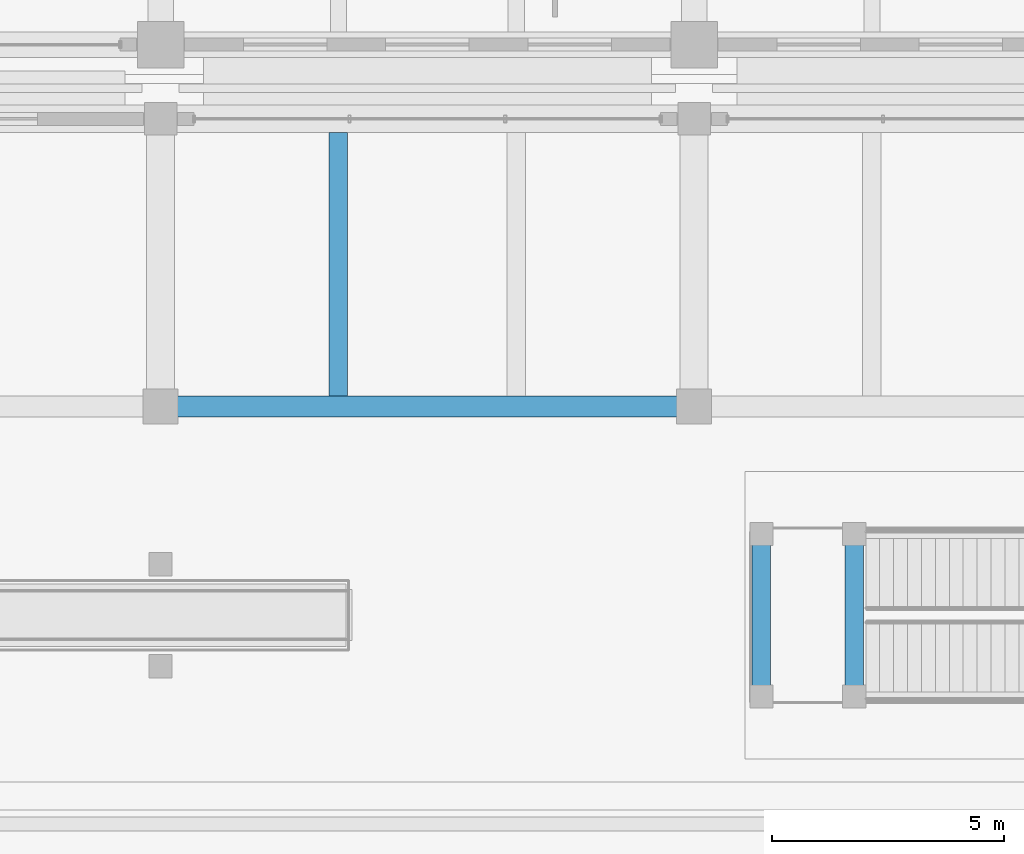
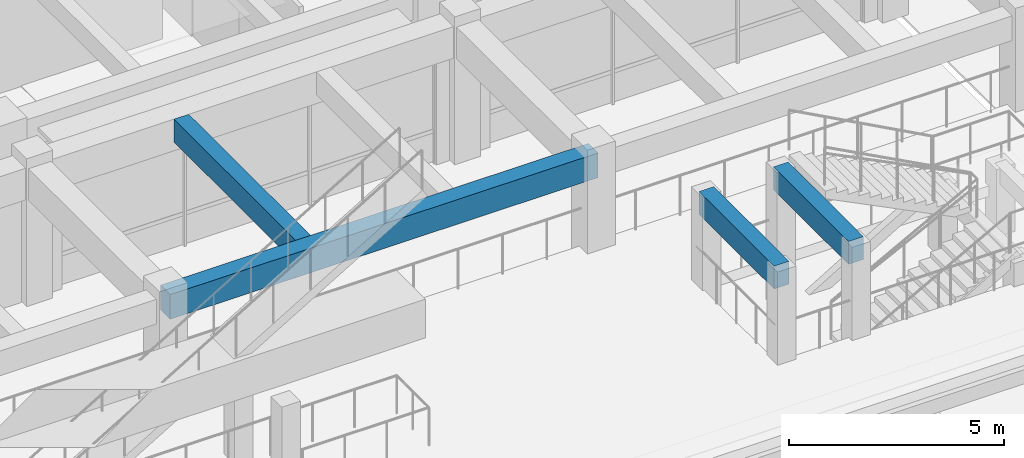
# One storey, part 30 of 109: 4 beams.
"""IFC4 building model written with IfcOpenShell, lengths in metres."""

import ifcopenshell
import ifcopenshell.guid

model = None  # the IFC model being written
_history = None  # IfcOwnerHistory: only IFC2X3 demands one
_inside = {}  # id of a spatial element -> (the spatial element, [elements in it])
_under = {}  # id of a project, library or spatial element -> (it, [spatial elements below it])
_declared = {}  # id of a project -> (the project, [libraries it declares])
_typed = {}  # id of a type object -> (the type object, [elements of that type])
_made_of = {}  # id of a material, layer set ... -> (it, [elements and type objects made of it])


def new_model(schema):
    """Start an empty IFC model of exactly this schema.

    Asked for "IFC4X3", IfcOpenShell would pick the latest addendum, in which some entities
    have other attributes; the version numbers below select the first issue.
    IFC2X3 requires an IfcOwnerHistory on every rooted entity: one is made here for all.
    """
    global model, _history
    if schema == "IFC4X3":
        model = ifcopenshell.file(schema_version=(4, 3, 0, 0))
    else:
        model = ifcopenshell.file(schema=schema)
    _inside.clear()
    _under.clear()
    _declared.clear()
    _typed.clear()
    _made_of.clear()
    _history = None
    if model.schema == "IFC2X3":
        org = make("IfcOrganization", Name="unknown")
        user = make(
            "IfcPersonAndOrganization",
            ThePerson=make("IfcPerson", FamilyName="unknown"),
            TheOrganization=org,
        )
        app = make(
            "IfcApplication",
            ApplicationDeveloper=org,
            Version="unknown",
            ApplicationFullName="unknown",
            ApplicationIdentifier="unknown",
        )
        _history = make(
            "IfcOwnerHistory",
            OwningUser=user,
            OwningApplication=app,
            ChangeAction="ADDED",
            CreationDate=0,
        )
    return model


def make(cls, **values):
    """One entity of the class cls with the attributes given. An attribute that is None is left unset."""
    return model.create_entity(
        cls, **{name: value for name, value in values.items() if value is not None}
    )


def rooted(cls, **values):
    """An entity with a GlobalId (a new one), such as an element, a storey or a relation."""
    return make(cls, GlobalId=ifcopenshell.guid.new(), OwnerHistory=_history, **values)


def si_unit(unit_type, name, prefix=None):
    """IfcSIUnit, for example si_unit("LENGTHUNIT", "METRE", prefix="MILLI")."""
    return make("IfcSIUnit", UnitType=unit_type, Prefix=prefix, Name=name)


def assignment(units):
    """IfcUnitAssignment: the units of a project."""
    return None if units is None else make("IfcUnitAssignment", Units=units)


def point(xyz):
    """IfcCartesianPoint."""
    return None if xyz is None else make("IfcCartesianPoint", Coordinates=xyz)


def direction(xyz):
    """IfcDirection."""
    return None if xyz is None else make("IfcDirection", DirectionRatios=xyz)


def frame(location, z_axis=None, x_axis=None):
    """IfcAxis2Placement3D, a coordinate frame: its origin and axes. An axis left out is left unset."""
    return make(
        "IfcAxis2Placement3D",
        Location=point(location),
        Axis=direction(z_axis),
        RefDirection=direction(x_axis),
    )


def frame_2d(location, x_axis=None):
    """IfcAxis2Placement2D, a coordinate frame in the plane: its origin and x axis."""
    return make(
        "IfcAxis2Placement2D", Location=point(location), RefDirection=direction(x_axis)
    )


def origin():
    """The frame at (0, 0, 0) with its axes left unset."""
    return frame((0.0, 0.0, 0.0))


def origin_2d():
    """The frame at (0, 0) in the plane with its x axis left unset."""
    return frame_2d((0.0, 0.0))


def place(relative_to, where):
    """IfcLocalPlacement: puts the frame where relative to a parent placement (None: the world)."""
    return make(
        "IfcLocalPlacement", PlacementRelTo=relative_to, RelativePlacement=where
    )


def context(
    kind, dimensions, precision=None, world=None, true_north=None, identifier=None
):
    """IfcGeometricRepresentationContext, for example the 3D "Model" context."""
    return make(
        "IfcGeometricRepresentationContext",
        ContextIdentifier=identifier,
        ContextType=kind,
        CoordinateSpaceDimension=dimensions,
        Precision=precision,
        WorldCoordinateSystem=world,
        TrueNorth=true_north,
    )


def subcontext(parent, identifier, kind, view, scale=None):
    """IfcGeometricRepresentationSubContext, for example "Body" below "Model"."""
    return make(
        "IfcGeometricRepresentationSubContext",
        ContextIdentifier=identifier,
        ContextType=kind,
        ParentContext=parent,
        TargetScale=scale,
        TargetView=view,
    )


def project(units=None, contexts=None):
    """IfcProject with its units and contexts."""
    return rooted(
        "IfcProject",
        Name="project",
        RepresentationContexts=contexts,
        UnitsInContext=assignment(units),
    )


def spatial(cls, under=None, at=None, **own):
    """A site, building, storey or space (cls), placed at a placement, below another one or the project."""
    s = rooted(cls, ObjectPlacement=at, **own)
    if under is not None:
        _under.setdefault(under.id(), (under, []))[1].append(s)
    return s


def profile(cls, at=None, kind="AREA", **sizes):
    """A parametric profile (cls). Its sizes go by their IFC names, for example OverallWidth=200.0."""
    return make(cls, ProfileType=kind, Position=at, **sizes)


def rectangle(**sizes):
    """IfcRectangleProfileDef."""
    return profile("IfcRectangleProfileDef", **sizes)


def extrude(swept, where, along, depth):
    """IfcExtrudedAreaSolid: the profile swept, set in the frame where, extruded along a direction by depth."""
    return make(
        "IfcExtrudedAreaSolid",
        SweptArea=swept,
        Position=where,
        ExtrudedDirection=direction(along),
        Depth=depth,
    )


def shape(context_of_items, identifier, shape_type, items):
    """IfcShapeRepresentation: the items that make up one representation, for example the "Body"."""
    return make(
        "IfcShapeRepresentation",
        ContextOfItems=context_of_items,
        RepresentationIdentifier=identifier,
        RepresentationType=shape_type,
        Items=items,
    )


def material(Name=None, Category=None):
    """IfcMaterial."""
    return make("IfcMaterial", Name=Name, Category=Category)


def material_profile(
    of_material, cross_section, Name=None, Category=None, Priority=None
):
    """IfcMaterialProfile: a cross section and its material."""
    return make(
        "IfcMaterialProfile",
        Name=Name,
        Material=of_material,
        Profile=cross_section,
        Priority=Priority,
        Category=Category,
    )


def profile_set(profiles, Name=None, composite=None):
    """IfcMaterialProfileSet."""
    return make(
        "IfcMaterialProfileSet",
        Name=Name,
        MaterialProfiles=profiles,
        CompositeProfile=composite,
    )


def made_of(thing, what):
    """Note that an element or type object is made of a material, layer set ...; save() writes the relation."""
    if what is not None:
        _made_of.setdefault(what.id(), (what, []))[1].append(thing)
    return thing


def type_object(cls, material=None, **own):
    """A type object (cls), such as IfcWallType, which elements share."""
    return made_of(rooted(cls, **own), material)


def element(
    cls,
    number,
    at=None,
    inside=None,
    cuts=None,
    type_object=None,
    material=None,
    context=None,
    identifier="Body",
    shape_type=None,
    held_by="IfcProductDefinitionShape",
    body=None,
    shapes=None,
    **own,
):
    """One element of the class cls, such as IfcWall. Its Tag is "e" and its number.

    at: its placement. inside: the storey or other place that contains it. cuts: it is an
    opening in that element (IfcRelVoidsElement). A single representation is given by context,
    identifier, shape_type and body (its items); several are given by shapes. held_by: the class
    of the entity that holds the representations. save() writes the other relations.
    """
    e = rooted(cls, Tag="e%d" % number, ObjectPlacement=at, **own)
    if body is not None:
        shapes = [shape(context, identifier, shape_type, body)]
    if shapes is not None:
        e.Representation = make(held_by, Representations=shapes)
    if inside is not None:
        _inside.setdefault(inside.id(), (inside, []))[1].append(e)
    if cuts is not None:
        rooted(
            "IfcRelVoidsElement", RelatingBuildingElement=cuts, RelatedOpeningElement=e
        )
    if type_object is not None:
        _typed.setdefault(type_object.id(), (type_object, []))[1].append(e)
    return made_of(e, material)


def aggregate(whole, parts):
    """IfcRelAggregates: a whole, such as a stair, and the parts it consists of."""
    return rooted("IfcRelAggregates", RelatingObject=whole, RelatedObjects=parts)


def save(model, path):
    """Write the relations noted so far, then the file.

    IfcRelAggregates (storeys below a building ...), IfcRelContainedInSpatialStructure (elements
    in a storey), IfcRelDefinesByType, IfcRelAssociatesMaterial and IfcRelDeclares: one each for
    every whole, place, type object, material and project.
    """
    for whole, parts in _under.values():
        aggregate(whole, parts)
    for where, things in _inside.values():
        rooted(
            "IfcRelContainedInSpatialStructure",
            RelatedElements=things,
            RelatingStructure=where,
        )
    for kind, things in _typed.values():
        rooted("IfcRelDefinesByType", RelatedObjects=things, RelatingType=kind)
    for what, things in _made_of.values():
        rooted("IfcRelAssociatesMaterial", RelatedObjects=things, RelatingMaterial=what)
    for by, libraries in _declared.values():
        rooted("IfcRelDeclares", RelatingContext=by, RelatedDefinitions=libraries)
    model.write(path)


model = new_model("IFC4")

# Units and contexts
model_context = context("Model", 3, precision=1e-05, world=origin(), true_north=direction((0.0, 1.0)))
body_context = subcontext(model_context, "Body", "Model", "MODEL_VIEW")
ifc_project = project(units=[si_unit("LENGTHUNIT", "METRE"), si_unit("AREAUNIT", "SQUARE_METRE"), si_unit("VOLUMEUNIT", "CUBIC_METRE"), si_unit("PLANEANGLEUNIT", "RADIAN"), si_unit("MASSUNIT", "GRAM", prefix="KILO")], contexts=[model_context])

# Site, building, storey
site_placement = place(None, origin())
site = spatial("IfcSite", under=ifc_project, at=site_placement, CompositionType="ELEMENT")
building_placement = place(site_placement, origin())
building = spatial("IfcBuilding", under=site, at=building_placement, Name="Ologun Quay Terminus", CompositionType="ELEMENT")
storey_placement = place(building_placement, origin())
storey = spatial("IfcBuildingStorey", under=building, at=storey_placement, Name="L00", CompositionType="ELEMENT", Elevation=0.0)

# Beams
ifc_material_1 = material(Name="Concrete C40/50", Category="concrete")
ifc_material_profile_1 = material_profile(ifc_material_1, rectangle(XDim=0.449951171875, YDim=0.699951171875, at=origin_2d()), Name="RC 450x700")
ifc_profile_set_1 = profile_set([ifc_material_profile_1], Name="Concrete C40/50")
beam_type_1 = type_object("IfcBeamType", Name="Perimeter Spandrel Beam 450x700", PredefinedType="SPANDREL", material=ifc_profile_set_1)
beam_1_placement = place(storey_placement, frame((46.0, 78.0, 3.550048828125), z_axis=(1.0, 0.0, 0.0), x_axis=(0.0, 1.0, 0.0)))
element("IfcBeam", 1, at=beam_1_placement, inside=storey, type_object=beam_type_1, Name="SP1 Beam 5/F L00", PredefinedType="SPANDREL", context=body_context, shape_type="SweptSolid", body=[
    extrude(rectangle(XDim=0.449951171875, YDim=0.699951171875, at=origin_2d()), origin(), (0.0, 0.0, 1.0), 11.5),
])
ifc_material_2 = material(Name="Concrete C40/50", Category="concrete")
ifc_material_profile_2 = material_profile(ifc_material_2, rectangle(XDim=0.39990234375, YDim=0.64990234375, at=origin_2d()), Name="RC 400x650")
ifc_profile_set_2 = profile_set([ifc_material_profile_2], Name="Concrete C40/50")
beam_type_2 = type_object("IfcBeamType", Name="Station Secondary Joist 400x650", PredefinedType="JOIST", material=ifc_profile_set_2)
for number, where, z_axis, x_axis, name in (
    (2, (58.949951171875, 71.75, 3.574951171875), (0.0, 1.0, 0.0), (-1.0, 0.0, 0.0), "J1 Beam 6/F L00"),
    (3, (60.949951171875, 71.75, 3.574951171875), (0.0, 1.0, 0.0), (-1.0, 0.0, 0.0), "J1 Beam 6/F L00"),
):
    element("IfcBeam", number, at=place(storey_placement, frame(where, z_axis=z_axis, x_axis=x_axis)), inside=storey, type_object=beam_type_2, Name=name, PredefinedType="JOIST", context=body_context, shape_type="SweptSolid", body=[
        extrude(rectangle(XDim=0.39990234375, YDim=0.64990234375, at=origin_2d()), origin(), (0.0, 0.0, 1.0), 3.5),
    ])
beam_2_placement = place(storey_placement, frame((49.833251953125, 78.22509765625, 3.574951171875), z_axis=(0.0, 1.0, 0.0), x_axis=(-1.0, 0.0, 0.0)))
element("IfcBeam", 4, at=beam_2_placement, inside=storey, type_object=beam_type_2, Name="J1 Beam 5/F L00", PredefinedType="JOIST", context=body_context, shape_type="SweptSolid", body=[
    extrude(rectangle(XDim=0.39990234375, YDim=0.64990234375, at=origin_2d()), origin(), (0.0, 0.0, 1.0), 5.6748046875),
])

save(model, "model.ifc")
